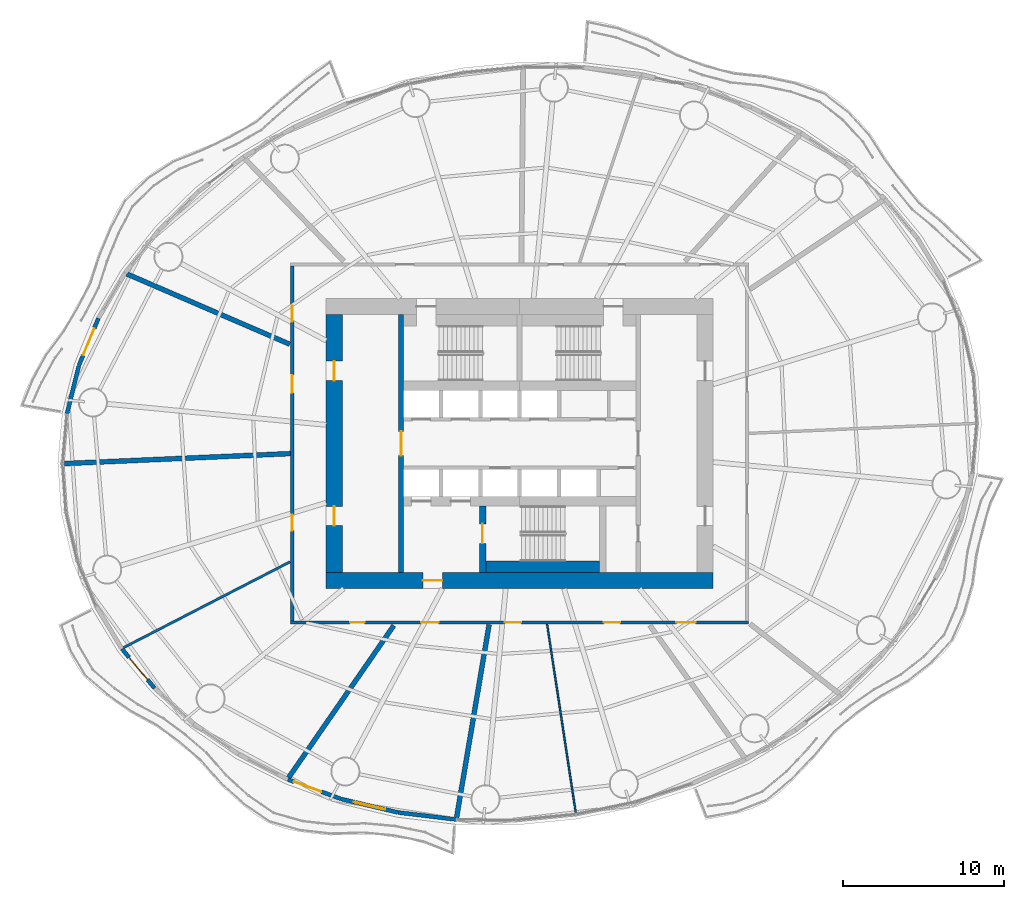
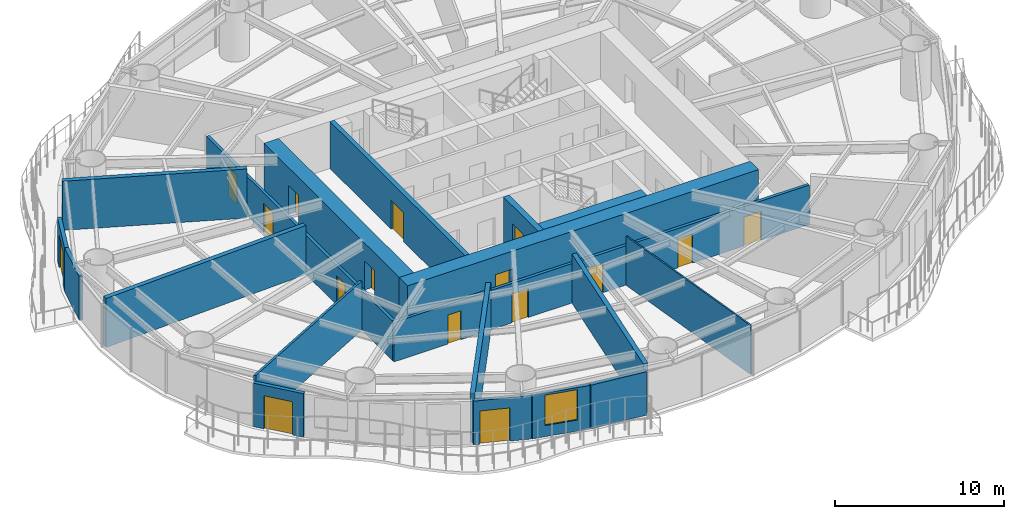
# One storey, part 8 of 16: 19 walls, 16 doors, 1 window, 17 openings.
"""IFC4 building model written with IfcOpenShell, lengths in metres."""

from ifc_helpers import new_model, si_unit, direction, frame, frame_2d, origin, place, context, subcontext, project, spatial, rectangle, extrude, material, layer, layer_set, type_object, element, fill, save


model = new_model("IFC4")

# Units and contexts
model_context = context("Model", 3, precision=1e-05, world=origin(), true_north=direction((0.0, 1.0)))
body_context = subcontext(model_context, "Body", "Model", "MODEL_VIEW")
ifc_project = project(units=[si_unit("LENGTHUNIT", "METRE"), si_unit("AREAUNIT", "SQUARE_METRE"), si_unit("VOLUMEUNIT", "CUBIC_METRE"), si_unit("PLANEANGLEUNIT", "RADIAN"), si_unit("MASSUNIT", "GRAM", prefix="KILO")], contexts=[model_context])

# Site, building, storey
site_placement = place(None, origin())
site = spatial("IfcSite", under=ifc_project, at=site_placement, CompositionType="ELEMENT")
building_placement = place(site_placement, origin())
building = spatial("IfcBuilding", under=site, at=building_placement, Name="Vermilion Reach Broadcast Tower", CompositionType="ELEMENT")
storey_placement = place(building_placement, frame((0.0, 0.0, 69.300048828125)))
storey = spatial("IfcBuildingStorey", under=building, at=storey_placement, Name="L14", CompositionType="ELEMENT", Elevation=69.300048828125)

# Wall, opening, door
ifc_material_1 = material(Name="Concrete C70", Category="concrete")
ifc_layer_1 = layer(ifc_material_1, 0.300048828125)
ifc_layer_set_1 = layer_set([ifc_layer_1], Name="Core inner wall 300 mm Concrete C70")
wall_type_1 = type_object("IfcWallType", Name="Core inner wall 300 mm Concrete C70", PredefinedType="SHEAR", material=ifc_layer_set_1)
wall_1_placement = place(storey_placement, frame((-13.35009765625, 8.0, 0.0), z_axis=(0.0, 0.0, 1.0), x_axis=(0.0, -1.0, 0.0)))
wall_1 = element("IfcWall", 1, at=wall_1_placement, inside=storey, type_object=wall_type_1, Name="L14 core wall ewW", PredefinedType="SHEAR", context=body_context, shape_type="SweptSolid", body=[
    extrude(rectangle(XDim=16.0, YDim=0.300048828125, at=frame_2d((8.0, 0.0))), origin(), (0.0, 0.0, 1.0), 3.39990234375),
])
opening_1_placement = place(wall_1_placement, frame((7.25, 0.0, 0.0)))
opening_1 = element("IfcOpeningElement", 2, at=opening_1_placement, cuts=wall_1, Name="Opening D04", PredefinedType="OPENING", context=body_context, shape_type="SweptSolid", body=[
    extrude(rectangle(XDim=1.5, YDim=2.10009765625, at=frame_2d((0.75, 1.050048828125))), frame((0.0, 0.159912109375, 0.0), z_axis=(0.0, -1.0, 0.0), x_axis=(1.0, 0.0, 0.0)), (0.0, 0.0, 1.0), 0.320068359375),
])
ifc_material_2 = material(Name="Painted steel fire door", Category="steel")
door_type_1 = type_object("IfcDoorType", Name="Lift lobby door 1500 x 2100", OperationType="DOUBLE_DOOR_SINGLE_SWING", PredefinedType="NOTDEFINED", material=ifc_material_2)
door_1_placement = place(opening_1_placement, origin())
door_1 = element("IfcDoor", 3, at=door_1_placement, inside=storey, type_object=door_type_1, Name="L14 band door BW", OperationType="DOUBLE_DOOR_SINGLE_SWING", OverallHeight=2.10009765625, OverallWidth=1.5, PredefinedType="NOTDEFINED", context=body_context, shape_type="SweptSolid", body=[
    extrude(rectangle(XDim=1.5, YDim=2.10009765625, at=frame_2d((0.75, 1.050048828125))), frame((0.0, 0.02490234375, 0.0), z_axis=(0.0, -1.0, 0.0), x_axis=(1.0, 0.0, 0.0)), (0.0, 0.0, 1.0), 0.050048828125),
])
fill(opening_1, door_1)

ifc_material_3 = material(Name="Concrete C70", Category="concrete")
ifc_layer_2 = layer(ifc_material_3, 0.39990234375)
ifc_layer_set_2 = layer_set([ifc_layer_2], Name="Core inner wall 400 mm Concrete C70")
wall_type_2 = type_object("IfcWallType", Name="Core inner wall 400 mm Concrete C70", PredefinedType="SHEAR", material=ifc_layer_set_2)
wall_2_placement = place(storey_placement, frame((-8.300048828125, -3.8798828125, 0.0), z_axis=(0.0, 0.0, 1.0), x_axis=(0.0, -1.0, 0.0)))
wall_2 = element("IfcWall", 4, at=wall_2_placement, inside=storey, type_object=wall_type_2, Name="L14 core wall wa", PredefinedType="SHEAR", context=body_context, shape_type="SweptSolid", body=[
    extrude(rectangle(XDim=4.1201171875, YDim=0.39990234375, at=frame_2d((2.06005859375, 0.0))), origin(), (0.0, 0.0, 1.0), 3.39990234375),
])
opening_2_placement = place(wall_2_placement, frame((1.110107421875, 0.0, 0.0)))
opening_2 = element("IfcOpeningElement", 5, at=opening_2_placement, cuts=wall_2, Name="Opening D01", PredefinedType="OPENING", context=body_context, shape_type="SweptSolid", body=[
    extrude(rectangle(XDim=1.199951171875, YDim=2.10009765625, at=frame_2d((0.60009765625, 1.050048828125))), frame((0.0, 0.2099609375, 0.0), z_axis=(0.0, -1.0, 0.0), x_axis=(1.0, 0.0, 0.0)), (0.0, 0.0, 1.0), 0.419921875),
])
ifc_material_4 = material(Name="Painted steel fire door", Category="steel")
door_type_2 = type_object("IfcDoorType", Name="Stair door 1200 x 2100", OperationType="DOUBLE_DOOR_SINGLE_SWING", PredefinedType="NOTDEFINED", material=ifc_material_4)
door_2_placement = place(opening_2_placement, origin())
door_2 = element("IfcDoor", 6, at=door_2_placement, inside=storey, type_object=door_type_2, Name="L14 stair door ST3", OperationType="DOUBLE_DOOR_SINGLE_SWING", OverallHeight=2.10009765625, OverallWidth=1.199951171875, PredefinedType="NOTDEFINED", context=body_context, shape_type="SweptSolid", body=[
    extrude(rectangle(XDim=1.199951171875, YDim=2.10009765625, at=frame_2d((0.60009765625, 1.050048828125))), frame((0.0, 0.02490234375, 0.0), z_axis=(0.0, -1.0, 0.0), x_axis=(1.0, 0.0, 0.0)), (0.0, 0.0, 1.0), 0.050048828125),
])
fill(opening_2, door_2)

ifc_material_5 = material(Name="Concrete C70", Category="concrete")
ifc_layer_3 = layer(ifc_material_5, 1.0)
ifc_layer_set_3 = layer_set([ifc_layer_3], Name="Core outer wall 1000 mm Concrete C70")
wall_type_3 = type_object("IfcWallType", Name="Core outer wall 1000 mm Concrete C70", PredefinedType="SHEAR", material=ifc_layer_set_3)
wall_3_placement = place(storey_placement, frame((-18.0, -8.5, 0.0), z_axis=(0.0, 0.0, 1.0), x_axis=(1.0, 0.0, 0.0)))
wall_3 = element("IfcWall", 7, at=wall_3_placement, inside=storey, type_object=wall_type_3, Name="L14 core wall os", PredefinedType="SHEAR", context=body_context, shape_type="SweptSolid", body=[
    extrude(rectangle(XDim=24.0, YDim=1.0, at=frame_2d((12.0, 0.0))), origin(), (0.0, 0.0, 1.0), 3.39990234375),
])
opening_3_placement = place(wall_3_placement, frame((6.0, 0.0, 0.0)))
opening_3 = element("IfcOpeningElement", 8, at=opening_3_placement, cuts=wall_3, Name="Opening D02", PredefinedType="OPENING", context=body_context, shape_type="SweptSolid", body=[
    extrude(rectangle(XDim=1.199951171875, YDim=2.10009765625, at=frame_2d((0.60009765625, 1.050048828125))), frame((0.0, 0.510009765625, 0.0), z_axis=(0.0, -1.0, 0.0), x_axis=(1.0, 0.0, 0.0)), (0.0, 0.0, 1.0), 1.02001953125),
])
ifc_material_6 = material(Name="Painted steel fire door", Category="steel")
door_type_3 = type_object("IfcDoorType", Name="Firefighting lobby door 1200 x 2100", OperationType="DOUBLE_DOOR_SINGLE_SWING", PredefinedType="NOTDEFINED", material=ifc_material_6)
door_3_placement = place(opening_3_placement, origin())
door_3 = element("IfcDoor", 9, at=door_3_placement, inside=storey, type_object=door_type_3, Name="L14 ffdoor door FFL", OperationType="DOUBLE_DOOR_SINGLE_SWING", OverallHeight=2.10009765625, OverallWidth=1.199951171875, PredefinedType="NOTDEFINED", context=body_context, shape_type="SweptSolid", body=[
    extrude(rectangle(XDim=1.199951171875, YDim=2.10009765625, at=frame_2d((0.60009765625, 1.050048828125))), frame((0.0, 0.02490234375, 0.0), z_axis=(0.0, -1.0, 0.0), x_axis=(1.0, 0.0, 0.0)), (0.0, 0.0, 1.0), 0.050048828125),
])
fill(opening_3, door_3)

# Wall, openings, doors
wall_4_placement = place(storey_placement, frame((-17.5, 8.0, 0.0), z_axis=(0.0, 0.0, 1.0), x_axis=(0.0, -1.0, 0.0)))
wall_4 = element("IfcWall", 10, at=wall_4_placement, inside=storey, type_object=wall_type_3, Name="L14 core wall ow", PredefinedType="SHEAR", context=body_context, shape_type="SweptSolid", body=[
    extrude(rectangle(XDim=16.0, YDim=1.0, at=frame_2d((8.0, 0.0))), origin(), (0.0, 0.0, 1.0), 3.39990234375),
])
opening_4_placement = place(wall_4_placement, frame((11.89990234375, 0.0, 0.0)))
opening_4 = element("IfcOpeningElement", 11, at=opening_4_placement, cuts=wall_4, Name="Opening D03", PredefinedType="OPENING", context=body_context, shape_type="SweptSolid", body=[
    extrude(rectangle(XDim=1.199951171875, YDim=2.10009765625, at=frame_2d((0.60009765625, 1.050048828125))), frame((0.0, 0.510009765625, 0.0), z_axis=(0.0, -1.0, 0.0), x_axis=(1.0, 0.0, 0.0)), (0.0, 0.0, 1.0), 1.02001953125),
])
opening_5_placement = place(wall_4_placement, frame((2.89990234375, 0.0, 0.0)))
opening_5 = element("IfcOpeningElement", 12, at=opening_5_placement, cuts=wall_4, Name="Opening D03", PredefinedType="OPENING", context=body_context, shape_type="SweptSolid", body=[
    extrude(rectangle(XDim=1.199951171875, YDim=2.10009765625, at=frame_2d((0.60009765625, 1.050048828125))), frame((0.0, 0.510009765625, 0.0), z_axis=(0.0, -1.0, 0.0), x_axis=(1.0, 0.0, 0.0)), (0.0, 0.0, 1.0), 1.02001953125),
])
ifc_material_7 = material(Name="Painted steel fire door", Category="steel")
door_type_4 = type_object("IfcDoorType", Name="Core lobby door 1200 x 2100", OperationType="DOUBLE_DOOR_SINGLE_SWING", PredefinedType="NOTDEFINED", material=ifc_material_7)
door_4_placement = place(opening_4_placement, origin())
door_4 = element("IfcDoor", 13, at=door_4_placement, inside=storey, type_object=door_type_4, Name="L14 slot door W0", OperationType="DOUBLE_DOOR_SINGLE_SWING", OverallHeight=2.10009765625, OverallWidth=1.199951171875, PredefinedType="NOTDEFINED", context=body_context, shape_type="SweptSolid", body=[
    extrude(rectangle(XDim=1.199951171875, YDim=2.10009765625, at=frame_2d((0.60009765625, 1.050048828125))), frame((0.0, 0.02490234375, 0.0), z_axis=(0.0, -1.0, 0.0), x_axis=(1.0, 0.0, 0.0)), (0.0, 0.0, 1.0), 0.050048828125),
])
fill(opening_4, door_4)
door_5_placement = place(opening_5_placement, origin())
door_5 = element("IfcDoor", 14, at=door_5_placement, inside=storey, type_object=door_type_4, Name="L14 slot door W1", OperationType="DOUBLE_DOOR_SINGLE_SWING", OverallHeight=2.10009765625, OverallWidth=1.199951171875, PredefinedType="NOTDEFINED", context=body_context, shape_type="SweptSolid", body=[
    extrude(rectangle(XDim=1.199951171875, YDim=2.10009765625, at=frame_2d((0.60009765625, 1.050048828125))), frame((0.0, 0.02490234375, 0.0), z_axis=(0.0, -1.0, 0.0), x_axis=(1.0, 0.0, 0.0)), (0.0, 0.0, 1.0), 0.050048828125),
])
fill(opening_5, door_5)

# Walls
ifc_material_8 = material(Name="Concrete C70", Category="concrete")
ifc_layer_4 = layer(ifc_material_8, 0.699951171875)
ifc_layer_set_4 = layer_set([ifc_layer_4], Name="Core stair wall 700 mm Concrete C70")
wall_type_4 = type_object("IfcWallType", Name="Core stair wall 700 mm Concrete C70", PredefinedType="SHEAR", material=ifc_layer_set_4)
wall_5_placement = place(storey_placement, frame((-8.10009765625, -7.64990234375, 0.0), z_axis=(0.0, 0.0, 1.0), x_axis=(1.0, 0.0, 0.0)))
element("IfcWall", 15, at=wall_5_placement, inside=storey, type_object=wall_type_4, Name="L14 core wall l3", PredefinedType="SHEAR", context=body_context, shape_type="SweptSolid", body=[
    extrude(rectangle(XDim=7.050048828125, YDim=0.699951171875, at=frame_2d((3.52490234375, 0.0))), origin(), (0.0, 0.0, 1.0), 3.39990234375),
])
ifc_material_9 = material(Name="Plasterboard on steel stud", Category="steel")
ifc_layer_5 = layer(ifc_material_9, 0.10009765625)
ifc_layer_set_5 = layer_set([ifc_layer_5], Name="Partition 100 steel stud")
wall_type_5 = type_object("IfcWallType", Name="Partition 100 steel stud", PredefinedType="PARTITIONING", material=ifc_layer_set_5)
wall_6_placement = place(storey_placement, frame((-2.524169921875, -22.8740234375, 0.0), z_axis=(0.0, 0.0, 1.0), x_axis=(-0.150244181416, 0.988648919461, 0.0)))
element("IfcWall", 16, at=wall_6_placement, inside=storey, type_object=wall_type_5, Name="Partition 14.11", PredefinedType="PARTITIONING", context=body_context, shape_type="SweptSolid", body=[
    extrude(rectangle(XDim=11.800537109375, YDim=0.10009765625, at=frame_2d((5.900390625, 0.0))), origin(), (0.0, 0.0, 1.0), 3.550048828125),
])
ifc_material_10 = material(Name="Lightweight concrete block, plastered", Category="concrete")
ifc_layer_6 = layer(ifc_material_10, 0.14990234375)
ifc_layer_set_6 = layer_set([ifc_layer_6], Name="Partition 150 lightweight block")
wall_type_6 = type_object("IfcWallType", Name="Partition 150 lightweight block", PredefinedType="PARTITIONING", material=ifc_layer_set_6)
wall_7_placement = place(storey_placement, frame((-30.562255859375, -12.658447265625, 0.0), z_axis=(0.0, 0.0, 1.0), x_axis=(0.888901442765, 0.458098488375, 0.0)))
element("IfcWall", 17, at=wall_7_placement, inside=storey, type_object=wall_type_6, Name="Partition 14.08", PredefinedType="PARTITIONING", context=body_context, shape_type="SweptSolid", body=[
    extrude(rectangle(XDim=11.61865234375, YDim=0.14990234375, at=frame_2d((5.809326171875, 0.0))), origin(), (0.0, 0.0, 1.0), 3.550048828125),
])
ifc_material_11 = material(Name="Double-leaf plasterboard on isolated steel stud", Category="steel")
ifc_layer_7 = layer(ifc_material_11, 0.300048828125)
ifc_layer_set_7 = layer_set([ifc_layer_7], Name="Partition 300 acoustic double leaf")
wall_type_7 = type_object("IfcWallType", Name="Partition 300 acoustic double leaf", PredefinedType="PARTITIONING", material=ifc_layer_set_7)
wall_8_placement = place(storey_placement, frame((-30.35693359375, 10.51318359375, 0.0), z_axis=(0.0, 0.0, 1.0), x_axis=(0.918123488596, -0.396294410368, 0.0)))
element("IfcWall", 18, at=wall_8_placement, inside=storey, type_object=wall_type_7, Name="Partition 14.06", PredefinedType="PARTITIONING", context=body_context, shape_type="SweptSolid", body=[
    extrude(rectangle(XDim=10.997802734375, YDim=0.300048828125, at=frame_2d((5.4990234375, 0.0))), origin(), (0.0, 0.0, 1.0), 3.550048828125),
])
wall_9_placement = place(storey_placement, frame((-34.220703125, -1.24560546875, 0.0), z_axis=(0.0, 0.0, 1.0), x_axis=(0.999027039991, 0.044101852189, 0.0)))
element("IfcWall", 19, at=wall_9_placement, inside=storey, type_object=wall_type_7, Name="Partition 14.07", PredefinedType="PARTITIONING", context=body_context, shape_type="SweptSolid", body=[
    extrude(rectangle(XDim=14.02783203125, YDim=0.300048828125, at=frame_2d((7.013916015625, 0.0))), origin(), (0.0, 0.0, 1.0), 3.550048828125),
])
wall_10_placement = place(storey_placement, frame((-20.327392578125, -20.720458984375, 0.0), z_axis=(0.0, 0.0, 1.0), x_axis=(0.568736200027, 0.822519990504, 0.0)))
element("IfcWall", 20, at=wall_10_placement, inside=storey, type_object=wall_type_7, Name="Partition 14.09", PredefinedType="PARTITIONING", context=body_context, shape_type="SweptSolid", body=[
    extrude(rectangle(XDim=11.470947265625, YDim=0.300048828125, at=frame_2d((5.7353515625, 0.0))), origin(), (0.0, 0.0, 1.0), 3.550048828125),
])
wall_11_placement = place(storey_placement, frame((-9.91064453125, -23.1943359375, 0.0), z_axis=(0.0, 0.0, 1.0), x_axis=(0.16625453359, 0.986082871802, 0.0)))
element("IfcWall", 21, at=wall_11_placement, inside=storey, type_object=wall_type_7, Name="Partition 14.10", PredefinedType="PARTITIONING", context=body_context, shape_type="SweptSolid", body=[
    extrude(rectangle(XDim=12.138427734375, YDim=0.300048828125, at=frame_2d((6.0693359375, 0.0))), origin(), (0.0, 0.0, 1.0), 3.550048828125),
])

# Wall, opening, door
ifc_material_12 = material(Name="Terracotta rainscreen cladding", Category="masonry")
ifc_layer_8 = layer(ifc_material_12, 0.25)
ifc_layer_set_8 = layer_set([ifc_layer_8], Name="Terracotta rainscreen wall 250")
wall_type_8 = type_object("IfcWallType", Name="Terracotta rainscreen wall 250", PredefinedType="SOLIDWALL", material=ifc_layer_set_8)
wall_12_placement = place(storey_placement, frame((-32.124755859375, 7.760498046875, 0.0), z_axis=(0.0, 0.0, 1.0), x_axis=(-0.381026005506, -0.924564320709, 0.0)))
wall_12 = element("IfcWall", 22, at=wall_12_placement, inside=storey, type_object=wall_type_8, Name="External wall L14 20", PredefinedType="SOLIDWALL", context=body_context, shape_type="SweptSolid", body=[
    extrude(rectangle(XDim=3.15625, YDim=0.25, at=frame_2d((1.578125, 0.0))), origin(), (0.0, 0.0, 1.0), 3.14990234375),
])
opening_6_placement = place(wall_12_placement, frame((0.677978515625, 0.0, 0.0)))
opening_6 = element("IfcOpeningElement", 23, at=opening_6_placement, cuts=wall_12, Name="Opening D70", PredefinedType="OPENING", context=body_context, shape_type="SweptSolid", body=[
    extrude(rectangle(XDim=1.800048828125, YDim=2.39990234375, at=frame_2d((0.89990234375, 1.199951171875))), frame((0.0, 0.135009765625, 0.0), z_axis=(0.0, -1.0, 0.0), x_axis=(1.0, 0.0, 0.0)), (0.0, 0.0, 1.0), 0.27001953125),
])
ifc_material_13 = material(Name="Low-e laminated clear glass in aluminium frame", Category="aluminium")
door_type_5 = type_object("IfcDoorType", Name="Balcony sliding door 1800 x 2400", OperationType="DOUBLE_DOOR_SLIDING", PredefinedType="DOOR", material=ifc_material_13)
door_6_placement = place(opening_6_placement, origin())
door_6 = element("IfcDoor", 24, at=door_6_placement, inside=storey, type_object=door_type_5, Name="Balcony door L14 run 05", OperationType="DOUBLE_DOOR_SLIDING", OverallHeight=2.39990234375, OverallWidth=1.800048828125, PredefinedType="DOOR", context=body_context, shape_type="SweptSolid", body=[
    extrude(rectangle(XDim=1.800048828125, YDim=2.39990234375, at=frame_2d((0.89990234375, 1.199951171875))), frame((0.0, 0.02490234375, 0.0), z_axis=(0.0, -1.0, 0.0), x_axis=(1.0, 0.0, 0.0)), (0.0, 0.0, 1.0), 0.050048828125),
])
fill(opening_6, door_6)

# Wall
wall_13_placement = place(storey_placement, frame((-33.335693359375, 4.817138671875, 0.0), z_axis=(0.0, 0.0, 1.0), x_axis=(-0.239572615753, -0.97087844851, 0.0)))
element("IfcWall", 25, at=wall_13_placement, inside=storey, type_object=wall_type_8, Name="External wall L14 21", PredefinedType="SOLIDWALL", context=body_context, shape_type="SweptSolid", body=[
    extrude(rectangle(XDim=3.044921875, YDim=0.25, at=frame_2d((1.5224609375, 0.0))), origin(), (0.0, 0.0, 1.0), 3.14990234375),
])

# Wall, opening, door
wall_14_placement = place(storey_placement, frame((-30.655517578125, -12.7412109375, 0.0), z_axis=(0.0, 0.0, 1.0), x_axis=(0.638501311246, -0.769620734867, 0.0)))
wall_14 = element("IfcWall", 26, at=wall_14_placement, inside=storey, type_object=wall_type_8, Name="External wall L14 27", PredefinedType="SOLIDWALL", context=body_context, shape_type="SweptSolid", body=[
    extrude(rectangle(XDim=3.156005859375, YDim=0.25, at=frame_2d((1.578125, 0.0))), origin(), (0.0, 0.0, 1.0), 3.14990234375),
])
opening_7_placement = place(wall_14_placement, frame((0.677978515625, 0.0, 0.0)))
opening_7 = element("IfcOpeningElement", 27, at=opening_7_placement, cuts=wall_14, Name="Opening D70", PredefinedType="OPENING", context=body_context, shape_type="SweptSolid", body=[
    extrude(rectangle(XDim=1.800048828125, YDim=2.39990234375, at=frame_2d((0.89990234375, 1.199951171875))), frame((0.0, 0.135009765625, 0.0), z_axis=(0.0, -1.0, 0.0), x_axis=(1.0, 0.0, 0.0)), (0.0, 0.0, 1.0), 0.27001953125),
])
door_7_placement = place(opening_7_placement, origin())
door_7 = element("IfcDoor", 28, at=door_7_placement, inside=storey, type_object=door_type_5, Name="Balcony door L14 run 07", OperationType="DOUBLE_DOOR_SLIDING", OverallHeight=2.39990234375, OverallWidth=1.800048828125, PredefinedType="DOOR", context=body_context, shape_type="SweptSolid", body=[
    extrude(rectangle(XDim=1.800048828125, YDim=2.39990234375, at=frame_2d((0.89990234375, 1.199951171875))), frame((0.0, 0.02490234375, 0.0), z_axis=(0.0, -1.0, 0.0), x_axis=(1.0, 0.0, 0.0)), (0.0, 0.0, 1.0), 0.050048828125),
])
fill(opening_7, door_7)

wall_15_placement = place(storey_placement, frame((-20.366455078125, -20.839111328125, 0.0), z_axis=(0.0, 0.0, 1.0), x_axis=(0.939349487408, -0.34296142714, 0.0)))
wall_15 = element("IfcWall", 29, at=wall_15_placement, inside=storey, type_object=wall_type_8, Name="External wall L14 31", PredefinedType="SOLIDWALL", context=body_context, shape_type="SweptSolid", body=[
    extrude(rectangle(XDim=3.506591796875, YDim=0.25, at=frame_2d((1.75341796875, 0.0))), origin(), (0.0, 0.0, 1.0), 3.14990234375),
])
opening_8_placement = place(wall_15_placement, frame((0.403076171875, 0.0, 0.0)))
opening_8 = element("IfcOpeningElement", 30, at=opening_8_placement, cuts=wall_15, Name="Opening D70", PredefinedType="OPENING", context=body_context, shape_type="SweptSolid", body=[
    extrude(rectangle(XDim=1.800048828125, YDim=2.39990234375, at=frame_2d((0.89990234375, 1.199951171875))), frame((0.0, 0.135009765625, 0.0), z_axis=(0.0, -1.0, 0.0), x_axis=(1.0, 0.0, 0.0)), (0.0, 0.0, 1.0), 0.27001953125),
])
door_8_placement = place(opening_8_placement, origin())
door_8 = element("IfcDoor", 31, at=door_8_placement, inside=storey, type_object=door_type_5, Name="Balcony door L14 run 08", OperationType="DOUBLE_DOOR_SLIDING", OverallHeight=2.39990234375, OverallWidth=1.800048828125, PredefinedType="DOOR", context=body_context, shape_type="SweptSolid", body=[
    extrude(rectangle(XDim=1.800048828125, YDim=2.39990234375, at=frame_2d((0.89990234375, 1.199951171875))), frame((0.0, 0.02490234375, 0.0), z_axis=(0.0, -1.0, 0.0), x_axis=(1.0, 0.0, 0.0)), (0.0, 0.0, 1.0), 0.050048828125),
])
fill(opening_8, door_8)

# Wall, opening, window
wall_16_placement = place(storey_placement, frame((-17.051025390625, -22.04833984375, 0.0), z_axis=(0.0, 0.0, 1.0), x_axis=(0.972918732783, -0.231147440823, 0.0)))
wall_16 = element("IfcWall", 32, at=wall_16_placement, inside=storey, type_object=wall_type_8, Name="External wall L14 32", PredefinedType="SOLIDWALL", context=body_context, shape_type="SweptSolid", body=[
    extrude(rectangle(XDim=3.58154296875, YDim=0.25, at=frame_2d((1.790771484375, 0.0))), origin(), (0.0, 0.0, 1.0), 3.14990234375),
])
opening_9_placement = place(wall_16_placement, frame((0.790771484375, 0.0, 0.800048828125)))
opening_9 = element("IfcOpeningElement", 33, at=opening_9_placement, cuts=wall_16, Name="Opening W01", PredefinedType="OPENING", context=body_context, shape_type="SweptSolid", body=[
    extrude(rectangle(XDim=2.0, YDim=2.199951171875, at=frame_2d((1.0, 1.10009765625))), frame((0.0, 0.135009765625, 0.0), z_axis=(0.0, -1.0, 0.0), x_axis=(1.0, 0.0, 0.0)), (0.0, 0.0, 1.0), 0.27001953125),
])
ifc_material_14 = material(Name="Low-e laminated clear glass in aluminium frame", Category="aluminium")
window_type = type_object("IfcWindowType", Name="Punched window 2000 x 2200 sill 800", PartitioningType="SINGLE_PANEL", PredefinedType="WINDOW", material=ifc_material_14)
window_placement = place(opening_9_placement, origin())
window = element("IfcWindow", 34, at=window_placement, inside=storey, type_object=window_type, Name="Window L14 32", OverallHeight=2.199951171875, OverallWidth=2.0, PartitioningType="SINGLE_PANEL", PredefinedType="WINDOW", context=body_context, shape_type="SweptSolid", body=[
    extrude(rectangle(XDim=2.0, YDim=2.199951171875, at=frame_2d((1.0, 1.10009765625))), frame((0.0, 0.030029296875, 0.0), z_axis=(0.0, -1.0, 0.0), x_axis=(1.0, 0.0, 0.0)), (0.0, 0.0, 1.0), 0.06005859375),
])
fill(opening_9, window)

# Wall
wall_17_placement = place(storey_placement, frame((-13.544677734375, -22.880126953125, 0.0), z_axis=(0.0, 0.0, 1.0), x_axis=(0.992750723447, -0.120191518405, 0.0)))
element("IfcWall", 35, at=wall_17_placement, inside=storey, type_object=wall_type_8, Name="External wall L14 33", PredefinedType="SOLIDWALL", context=body_context, shape_type="SweptSolid", body=[
    extrude(rectangle(XDim=3.597412109375, YDim=0.25, at=frame_2d((1.798828125, 0.0))), origin(), (0.0, 0.0, 1.0), 3.14990234375),
])

# Wall, openings, doors
ifc_material_15 = material(Name="Fire-rated gypsum board partition")
ifc_layer_9 = layer(ifc_material_15, 0.199951171875)
ifc_layer_set_9 = layer_set([ifc_layer_9], Name="Under girder: Corridor wall 200 fire-rated")
wall_type_9 = type_object("IfcWallType", Name="Under girder: Corridor wall 200 fire-rated", PredefinedType="PARTITIONING", material=ifc_layer_set_9)
wall_18_placement = place(storey_placement, frame((8.199951171875, -11.10009765625, 0.0), z_axis=(0.0, 0.0, 1.0), x_axis=(-1.0, 0.0, 0.0)))
wall_18 = element("IfcWall", 36, at=wall_18_placement, inside=storey, type_object=wall_type_9, Name="Corridor wall 14.S", PredefinedType="PARTITIONING", context=body_context, shape_type="SweptSolid", body=[
    extrude(rectangle(XDim=28.39990234375, YDim=0.199951171875, at=frame_2d((14.199951171875, 0.0))), origin(), (0.0, 0.0, 1.0), 2.849853515625),
])
opening_10_placement = place(wall_18_placement, frame((23.81103515625, 0.0, 0.0)))
opening_10 = element("IfcOpeningElement", 37, at=opening_10_placement, cuts=wall_18, Name="Opening D22", PredefinedType="OPENING", context=body_context, shape_type="SweptSolid", body=[
    extrude(rectangle(XDim=0.89990234375, YDim=2.10009765625, at=frame_2d((0.449951171875, 1.050048828125))), frame((0.0, 0.10986328125, 0.0), z_axis=(0.0, -1.0, 0.0), x_axis=(1.0, 0.0, 0.0)), (0.0, 0.0, 1.0), 0.219970703125),
])
opening_11_placement = place(wall_18_placement, frame((19.217529296875, 0.0, 0.0)))
opening_11 = element("IfcOpeningElement", 38, at=opening_11_placement, cuts=wall_18, Name="Opening D28", PredefinedType="OPENING", context=body_context, shape_type="SweptSolid", body=[
    extrude(rectangle(XDim=1.10009765625, YDim=2.10009765625, at=frame_2d((0.550048828125, 1.050048828125))), frame((0.0, 0.10986328125, 0.0), z_axis=(0.0, -1.0, 0.0), x_axis=(1.0, 0.0, 0.0)), (0.0, 0.0, 1.0), 0.219970703125),
])
opening_12_placement = place(wall_18_placement, frame((14.111328125, 0.0, 0.0)))
opening_12 = element("IfcOpeningElement", 39, at=opening_12_placement, cuts=wall_18, Name="Opening D20", PredefinedType="OPENING", context=body_context, shape_type="SweptSolid", body=[
    extrude(rectangle(XDim=1.0, YDim=2.10009765625, at=frame_2d((0.5, 1.050048828125))), frame((0.0, 0.10986328125, 0.0), z_axis=(0.0, -1.0, 0.0), x_axis=(1.0, 0.0, 0.0)), (0.0, 0.0, 1.0), 0.219970703125),
])
opening_13_placement = place(wall_18_placement, frame((7.976806640625, 0.0, 0.0)))
opening_13 = element("IfcOpeningElement", 40, at=opening_13_placement, cuts=wall_18, Name="Opening D20", PredefinedType="OPENING", context=body_context, shape_type="SweptSolid", body=[
    extrude(rectangle(XDim=1.0, YDim=2.10009765625, at=frame_2d((0.5, 1.050048828125))), frame((0.0, 0.10986328125, 0.0), z_axis=(0.0, -1.0, 0.0), x_axis=(1.0, 0.0, 0.0)), (0.0, 0.0, 1.0), 0.219970703125),
])
opening_14_placement = place(wall_18_placement, frame((3.287353515625, 0.0, 0.0)))
opening_14 = element("IfcOpeningElement", 41, at=opening_14_placement, cuts=wall_18, Name="Opening D26", PredefinedType="OPENING", context=body_context, shape_type="SweptSolid", body=[
    extrude(rectangle(XDim=1.199951171875, YDim=2.10009765625, at=frame_2d((0.60009765625, 1.050048828125))), frame((0.0, 0.10986328125, 0.0), z_axis=(0.0, -1.0, 0.0), x_axis=(1.0, 0.0, 0.0)), (0.0, 0.0, 1.0), 0.219970703125),
])
ifc_material_16 = material(Name="Timber door leaf", Category="wood")
door_type_6 = type_object("IfcDoorType", Name="Door single 1000x2100", OperationType="NOTDEFINED", PredefinedType="DOOR", material=ifc_material_16)
door_9_placement = place(opening_12_placement, origin())
door_9 = element("IfcDoor", 42, at=door_9_placement, inside=storey, type_object=door_type_6, Name="Door 14.10", OperationType="SINGLE_SWING_RIGHT", OverallHeight=2.10009765625, OverallWidth=1.0, PredefinedType="DOOR", context=body_context, shape_type="SweptSolid", body=[
    extrude(rectangle(XDim=1.0, YDim=2.10009765625, at=frame_2d((0.5, 1.050048828125))), frame((0.0, 0.02490234375, 0.0), z_axis=(0.0, -1.0, 0.0), x_axis=(1.0, 0.0, 0.0)), (0.0, 0.0, 1.0), 0.050048828125),
])
fill(opening_12, door_9)
door_10_placement = place(opening_13_placement, origin())
door_10 = element("IfcDoor", 43, at=door_10_placement, inside=storey, type_object=door_type_6, Name="Door 14.11", OperationType="SINGLE_SWING_LEFT", OverallHeight=2.10009765625, OverallWidth=1.0, PredefinedType="DOOR", context=body_context, shape_type="SweptSolid", body=[
    extrude(rectangle(XDim=1.0, YDim=2.10009765625, at=frame_2d((0.5, 1.050048828125))), frame((0.0, 0.02490234375, 0.0), z_axis=(0.0, -1.0, 0.0), x_axis=(1.0, 0.0, 0.0)), (0.0, 0.0, 1.0), 0.050048828125),
])
fill(opening_13, door_10)
ifc_material_17 = material(Name="Acoustic sound-lock door leaf")
door_type_7 = type_object("IfcDoorType", Name="Door single 1100x2100", OperationType="NOTDEFINED", PredefinedType="DOOR", material=ifc_material_17)
door_11_placement = place(opening_11_placement, origin())
door_11 = element("IfcDoor", 44, at=door_11_placement, inside=storey, type_object=door_type_7, Name="Door 14.09", OperationType="SINGLE_SWING_RIGHT", OverallHeight=2.10009765625, OverallWidth=1.10009765625, PredefinedType="DOOR", context=body_context, shape_type="SweptSolid", body=[
    extrude(rectangle(XDim=1.10009765625, YDim=2.10009765625, at=frame_2d((0.550048828125, 1.050048828125))), frame((0.0, 0.02490234375, 0.0), z_axis=(0.0, -1.0, 0.0), x_axis=(1.0, 0.0, 0.0)), (0.0, 0.0, 1.0), 0.050048828125),
])
fill(opening_11, door_11)
ifc_material_18 = material(Name="Acoustic timber door leaf", Category="wood")
door_type_8 = type_object("IfcDoorType", Name="Door single 1200x2100", OperationType="NOTDEFINED", PredefinedType="DOOR", material=ifc_material_18)
door_12_placement = place(opening_14_placement, origin())
door_12 = element("IfcDoor", 45, at=door_12_placement, inside=storey, type_object=door_type_8, Name="Door 14.12", OperationType="SINGLE_SWING_RIGHT", OverallHeight=2.10009765625, OverallWidth=1.199951171875, PredefinedType="DOOR", context=body_context, shape_type="SweptSolid", body=[
    extrude(rectangle(XDim=1.199951171875, YDim=2.10009765625, at=frame_2d((0.60009765625, 1.050048828125))), frame((0.0, 0.02490234375, 0.0), z_axis=(0.0, -1.0, 0.0), x_axis=(1.0, 0.0, 0.0)), (0.0, 0.0, 1.0), 0.050048828125),
])
fill(opening_14, door_12)
ifc_material_19 = material(Name="Timber door leaf", Category="wood")
door_type_9 = type_object("IfcDoorType", Name="Door single 900x2100", OperationType="NOTDEFINED", PredefinedType="DOOR", material=ifc_material_19)
door_13_placement = place(opening_10_placement, origin())
door_13 = element("IfcDoor", 46, at=door_13_placement, inside=storey, type_object=door_type_9, Name="Door 14.08", OperationType="SINGLE_SWING_LEFT", OverallHeight=2.10009765625, OverallWidth=0.89990234375, PredefinedType="DOOR", context=body_context, shape_type="SweptSolid", body=[
    extrude(rectangle(XDim=0.89990234375, YDim=2.10009765625, at=frame_2d((0.449951171875, 1.050048828125))), frame((0.0, 0.02490234375, 0.0), z_axis=(0.0, -1.0, 0.0), x_axis=(1.0, 0.0, 0.0)), (0.0, 0.0, 1.0), 0.050048828125),
])
fill(opening_10, door_13)

wall_19_placement = place(storey_placement, frame((-20.10009765625, -11.0, 0.0), z_axis=(0.0, 0.0, 1.0), x_axis=(0.0, 1.0, 0.0)))
wall_19 = element("IfcWall", 47, at=wall_19_placement, inside=storey, type_object=wall_type_9, Name="Corridor wall 14.W", PredefinedType="PARTITIONING", context=body_context, shape_type="SweptSolid", body=[
    extrude(rectangle(XDim=22.0, YDim=0.199951171875, at=frame_2d((11.0, 0.0))), origin(), (0.0, 0.0, 1.0), 2.849853515625),
])
opening_15_placement = place(wall_19_placement, frame((18.55029296875, 0.0, 0.0)))
opening_15 = element("IfcOpeningElement", 48, at=opening_15_placement, cuts=wall_19, Name="Opening D20", PredefinedType="OPENING", context=body_context, shape_type="SweptSolid", body=[
    extrude(rectangle(XDim=1.0, YDim=2.10009765625, at=frame_2d((0.5, 1.050048828125))), frame((0.0, 0.10986328125, 0.0), z_axis=(0.0, -1.0, 0.0), x_axis=(1.0, 0.0, 0.0)), (0.0, 0.0, 1.0), 0.219970703125),
])
opening_16_placement = place(wall_19_placement, frame((14.13232421875, 0.0, 0.0)))
opening_16 = element("IfcOpeningElement", 49, at=opening_16_placement, cuts=wall_19, Name="Opening D28", PredefinedType="OPENING", context=body_context, shape_type="SweptSolid", body=[
    extrude(rectangle(XDim=1.10009765625, YDim=2.10009765625, at=frame_2d((0.550048828125, 1.050048828125))), frame((0.0, 0.10986328125, 0.0), z_axis=(0.0, -1.0, 0.0), x_axis=(1.0, 0.0, 0.0)), (0.0, 0.0, 1.0), 0.219970703125),
])
opening_17_placement = place(wall_19_placement, frame((5.58935546875, 0.0, 0.0)))
opening_17 = element("IfcOpeningElement", 50, at=opening_17_placement, cuts=wall_19, Name="Opening D20", PredefinedType="OPENING", context=body_context, shape_type="SweptSolid", body=[
    extrude(rectangle(XDim=1.0, YDim=2.10009765625, at=frame_2d((0.5, 1.050048828125))), frame((0.0, 0.10986328125, 0.0), z_axis=(0.0, -1.0, 0.0), x_axis=(1.0, 0.0, 0.0)), (0.0, 0.0, 1.0), 0.219970703125),
])
door_14_placement = place(opening_15_placement, origin())
door_14 = element("IfcDoor", 51, at=door_14_placement, inside=storey, type_object=door_type_6, Name="Door 14.05", OperationType="SINGLE_SWING_LEFT", OverallHeight=2.10009765625, OverallWidth=1.0, PredefinedType="DOOR", context=body_context, shape_type="SweptSolid", body=[
    extrude(rectangle(XDim=1.0, YDim=2.10009765625, at=frame_2d((0.5, 1.050048828125))), frame((0.0, 0.02490234375, 0.0), z_axis=(0.0, -1.0, 0.0), x_axis=(1.0, 0.0, 0.0)), (0.0, 0.0, 1.0), 0.050048828125),
])
fill(opening_15, door_14)
door_15_placement = place(opening_17_placement, origin())
door_15 = element("IfcDoor", 52, at=door_15_placement, inside=storey, type_object=door_type_6, Name="Door 14.07", OperationType="SINGLE_SWING_LEFT", OverallHeight=2.10009765625, OverallWidth=1.0, PredefinedType="DOOR", context=body_context, shape_type="SweptSolid", body=[
    extrude(rectangle(XDim=1.0, YDim=2.10009765625, at=frame_2d((0.5, 1.050048828125))), frame((0.0, 0.02490234375, 0.0), z_axis=(0.0, -1.0, 0.0), x_axis=(1.0, 0.0, 0.0)), (0.0, 0.0, 1.0), 0.050048828125),
])
fill(opening_17, door_15)
door_16_placement = place(opening_16_placement, origin())
door_16 = element("IfcDoor", 53, at=door_16_placement, inside=storey, type_object=door_type_7, Name="Door 14.06", OperationType="SINGLE_SWING_RIGHT", OverallHeight=2.10009765625, OverallWidth=1.10009765625, PredefinedType="DOOR", context=body_context, shape_type="SweptSolid", body=[
    extrude(rectangle(XDim=1.10009765625, YDim=2.10009765625, at=frame_2d((0.550048828125, 1.050048828125))), frame((0.0, 0.02490234375, 0.0), z_axis=(0.0, -1.0, 0.0), x_axis=(1.0, 0.0, 0.0)), (0.0, 0.0, 1.0), 0.050048828125),
])
fill(opening_16, door_16)

save(model, "model.ifc")
